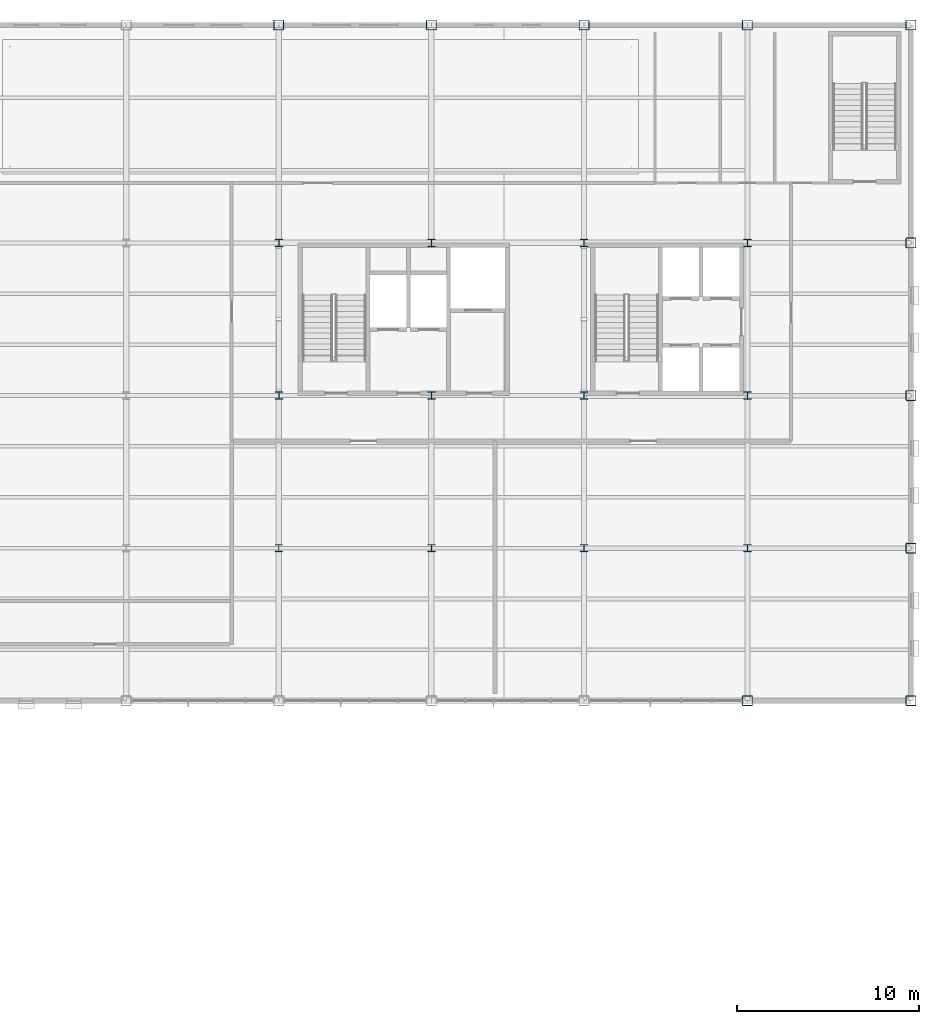
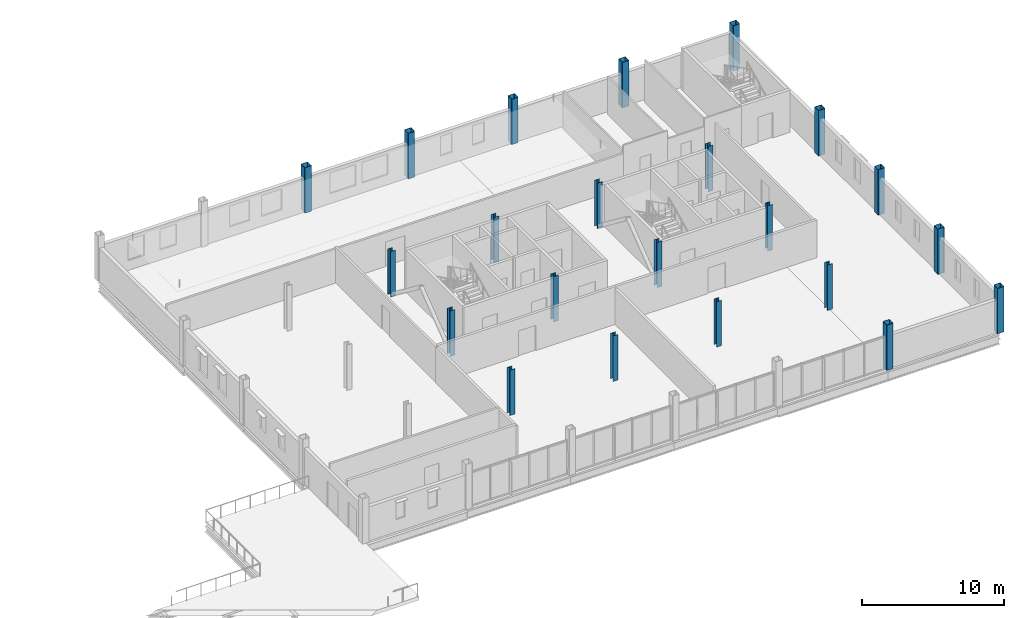
# One storey, part 4 of 77: 22 columns.
"""IFC4 building model written with IfcOpenShell, lengths in metres."""

from ifc_helpers import new_model, si_unit, direction, frame, origin, origin_2d, place, context, subcontext, project, spatial, hollow_rectangle, i_section, extrude, material, material_profile, profile_set, type_object, element, save


model = new_model("IFC4")

# Units and contexts
model_context = context("Model", 3, precision=1e-05, world=origin(), true_north=direction((0.0, 1.0)))
body_context = subcontext(model_context, "Body", "Model", "MODEL_VIEW")
ifc_project = project(units=[si_unit("LENGTHUNIT", "METRE"), si_unit("AREAUNIT", "SQUARE_METRE"), si_unit("VOLUMEUNIT", "CUBIC_METRE"), si_unit("PLANEANGLEUNIT", "RADIAN"), si_unit("MASSUNIT", "GRAM", prefix="KILO")], contexts=[model_context])

# Site, building, storey
site_placement = place(None, origin())
site = spatial("IfcSite", under=ifc_project, at=site_placement, CompositionType="ELEMENT")
building_placement = place(site_placement, origin())
building = spatial("IfcBuilding", under=site, at=building_placement, Name="Yukiwa Park Conservatory and Herbarium", CompositionType="ELEMENT")
storey_placement = place(building_placement, frame((0.0, 0.0, 13.199951171875)))
storey = spatial("IfcBuildingStorey", under=building, at=storey_placement, Name="L03", CompositionType="ELEMENT", Elevation=13.199951171875)

# Columns
ifc_material_1 = material(Name="Steel Q355D", Category="steel")
ifc_material_profile_1 = material_profile(ifc_material_1, hollow_rectangle(XDim=0.550048828125, YDim=0.550048828125, WallThickness=0.02197265625, InnerFilletRadius=0.02197265625, OuterFilletRadius=0.0439453125, at=origin_2d()), Name="BOX 550x550x22")
ifc_profile_set_1 = profile_set([ifc_material_profile_1], Name="Steel Q355D")
column_type_1 = type_object("IfcColumnType", Name="COL-TW-BOX550-EXT", PredefinedType="COLUMN", material=ifc_profile_set_1)
for number, where, z_axis, x_axis, name in (
    (1, (133.199951171875, 115.199951171875, 0.0), (0.0, 0.0, 1.0), (1.0, 0.0, 0.0), "L03 column V5-X1332-Y1152"),
    (2, (141.60009765625, 115.199951171875, 0.0), (0.0, 0.0, 1.0), (1.0, 0.0, 0.0), "L03 column V5-X1416-Y1152"),
    (3, (150.0, 115.199951171875, 0.0), (0.0, 0.0, 1.0), (1.0, 0.0, 0.0), "L03 column V5-X1500-Y1152"),
    (4, (159.0, 78.0, 0.0), (0.0, 0.0, 1.0), (1.0, 0.0, 0.0), "L03 column V5-X1590-Y780"),
    (5, (159.0, 115.199951171875, 0.0), (0.0, 0.0, 1.0), (1.0, 0.0, 0.0), "L03 column V5-X1590-Y1152"),
    (6, (168.0, 78.0, 0.0), (0.0, 0.0, 1.0), (1.0, 0.0, 0.0), "L03 column V5-X1680-Y780"),
    (7, (168.0, 86.39990234375, 0.0), (0.0, 0.0, 1.0), (1.0, 0.0, 0.0), "L03 column V5-X1680-Y864"),
    (8, (168.0, 94.800048828125, 0.0), (0.0, 0.0, 1.0), (1.0, 0.0, 0.0), "L03 column V5-X1680-Y948"),
    (9, (168.0, 103.199951171875, 0.0), (0.0, 0.0, 1.0), (1.0, 0.0, 0.0), "L03 column V5-X1680-Y1032"),
    (10, (168.0, 115.199951171875, 0.0), (0.0, 0.0, 1.0), (1.0, 0.0, 0.0), "L03 column V5-X1680-Y1152"),
):
    element("IfcColumn", number, at=place(storey_placement, frame(where, z_axis=z_axis, x_axis=x_axis)), inside=storey, type_object=column_type_1, Name=name, PredefinedType="COLUMN", context=body_context, shape_type="SweptSolid", body=[
        extrude(hollow_rectangle(XDim=0.550048828125, YDim=0.550048828125, WallThickness=0.02197265625, InnerFilletRadius=0.02197265625, OuterFilletRadius=0.0439453125, at=origin_2d()), origin(), (0.0, 0.0, 1.0), 3.900146484375),
    ])
ifc_material_2 = material(Name="Steel Q355D", Category="steel")
ifc_material_profile_2 = material_profile(ifc_material_2, i_section(OverallWidth=0.39990234375, OverallDepth=0.39990234375, WebThickness=0.012939453125, FlangeThickness=0.02099609375, FilletRadius=0.02197265625, at=origin_2d()), Name="HW 400x400x13x21")
ifc_profile_set_2 = profile_set([ifc_material_profile_2], Name="Steel Q355D")
column_type_2 = type_object("IfcColumnType", Name="COL-TW-HW400", PredefinedType="COLUMN", material=ifc_profile_set_2)
for number, where, z_axis, x_axis, name in (
    (11, (133.199951171875, 86.39990234375, 0.0), (0.0, 0.0, 1.0), (1.0, 0.0, 0.0), "L03 column V5-X1332-Y864"),
    (12, (141.60009765625, 86.39990234375, 0.0), (0.0, 0.0, 1.0), (1.0, 0.0, 0.0), "L03 column V5-X1416-Y864"),
    (13, (150.0, 86.39990234375, 0.0), (0.0, 0.0, 1.0), (1.0, 0.0, 0.0), "L03 column V5-X1500-Y864"),
    (14, (159.0, 86.39990234375, 0.0), (0.0, 0.0, 1.0), (1.0, 0.0, 0.0), "L03 column V5-X1590-Y864"),
):
    element("IfcColumn", number, at=place(storey_placement, frame(where, z_axis=z_axis, x_axis=x_axis)), inside=storey, type_object=column_type_2, Name=name, PredefinedType="COLUMN", context=body_context, shape_type="SweptSolid", body=[
        extrude(i_section(OverallWidth=0.39990234375, OverallDepth=0.39990234375, WebThickness=0.012939453125, FlangeThickness=0.02099609375, FilletRadius=0.02197265625, at=origin_2d()), origin(), (0.0, 0.0, 1.0), 3.900146484375),
    ])
ifc_material_3 = material(Name="Steel Q355D", Category="steel")
ifc_material_profile_3 = material_profile(ifc_material_3, i_section(OverallWidth=0.405029296875, OverallDepth=0.4140625, WebThickness=0.01806640625, FlangeThickness=0.028076171875, FilletRadius=0.02197265625, at=origin_2d()), Name="HW 414x405x18x28")
ifc_profile_set_3 = profile_set([ifc_material_profile_3], Name="Steel Q355D")
column_type_3 = type_object("IfcColumnType", Name="COL-TW-HW414", PredefinedType="COLUMN", material=ifc_profile_set_3)
for number, where, z_axis, x_axis, name in (
    (15, (133.199951171875, 94.800048828125, 0.0), (0.0, 0.0, 1.0), (1.0, 0.0, 0.0), "L03 column V5-X1332-Y948"),
    (16, (133.199951171875, 103.199951171875, 0.0), (0.0, 0.0, 1.0), (1.0, 0.0, 0.0), "L03 column V5-X1332-Y1032"),
    (17, (141.60009765625, 94.800048828125, 0.0), (0.0, 0.0, 1.0), (1.0, 0.0, 0.0), "L03 column V5-X1416-Y948"),
    (18, (141.60009765625, 103.199951171875, 0.0), (0.0, 0.0, 1.0), (1.0, 0.0, 0.0), "L03 column V5-X1416-Y1032"),
    (19, (150.0, 94.800048828125, 0.0), (0.0, 0.0, 1.0), (1.0, 0.0, 0.0), "L03 column V5-X1500-Y948"),
    (20, (150.0, 103.199951171875, 0.0), (0.0, 0.0, 1.0), (1.0, 0.0, 0.0), "L03 column V5-X1500-Y1032"),
    (21, (159.0, 94.800048828125, 0.0), (0.0, 0.0, 1.0), (1.0, 0.0, 0.0), "L03 column V5-X1590-Y948"),
    (22, (159.0, 103.199951171875, 0.0), (0.0, 0.0, 1.0), (1.0, 0.0, 0.0), "L03 column V5-X1590-Y1032"),
):
    element("IfcColumn", number, at=place(storey_placement, frame(where, z_axis=z_axis, x_axis=x_axis)), inside=storey, type_object=column_type_3, Name=name, PredefinedType="COLUMN", context=body_context, shape_type="SweptSolid", body=[
        extrude(i_section(OverallWidth=0.405029296875, OverallDepth=0.4140625, WebThickness=0.01806640625, FlangeThickness=0.028076171875, FilletRadius=0.02197265625, at=origin_2d()), origin(), (0.0, 0.0, 1.0), 3.900146484375),
    ])

save(model, "model.ifc")
